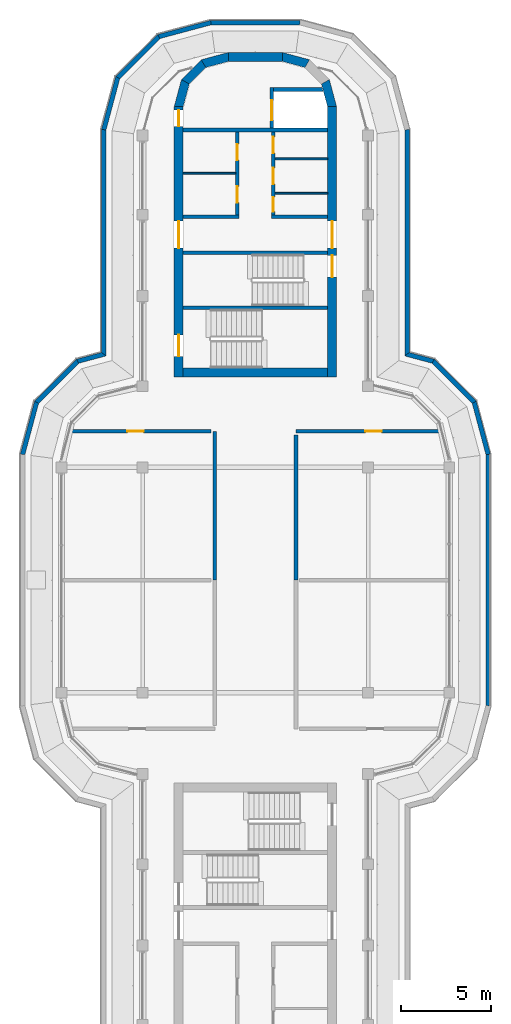
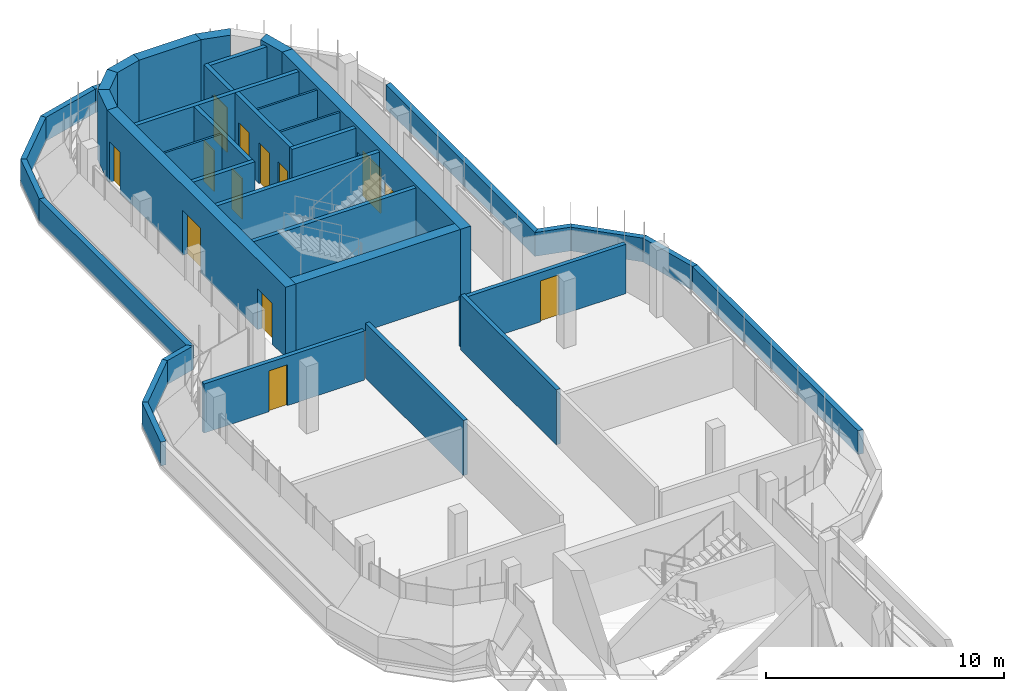
# One storey, part 9 of 13: 38 walls, 13 doors, 13 openings.
"""IFC4 building model written with IfcOpenShell, lengths in metres."""

from ifc_helpers import new_model, si_unit, direction, frame, frame_2d, origin, place, context, subcontext, project, spatial, polyline, rectangle, outline, extrude, material, layer, layer_set, type_object, element, fill, save


model = new_model("IFC4")

# Units and contexts
model_context = context("Model", 3, precision=1e-05, world=origin(), true_north=direction((0.0, 1.0)))
body_context = subcontext(model_context, "Body", "Model", "MODEL_VIEW")
ifc_project = project(units=[si_unit("LENGTHUNIT", "METRE"), si_unit("AREAUNIT", "SQUARE_METRE"), si_unit("VOLUMEUNIT", "CUBIC_METRE"), si_unit("PLANEANGLEUNIT", "RADIAN"), si_unit("MASSUNIT", "GRAM", prefix="KILO")], contexts=[model_context])

# Site, building, storey
site_placement = place(None, origin())
site = spatial("IfcSite", under=ifc_project, at=site_placement, CompositionType="ELEMENT")
building_placement = place(site_placement, origin())
building = spatial("IfcBuilding", under=site, at=building_placement, Name="Zarbagh Exchange Tower", CompositionType="ELEMENT")
storey_placement = place(building_placement, frame((0.0, 0.0, 302.39990234375)))
storey = spatial("IfcBuildingStorey", under=building, at=storey_placement, Name="L74", CompositionType="ELEMENT", Elevation=302.39990234375)

# Walls
ifc_material_1 = material(Name="Dense blockwork", Category="masonry")
ifc_layer_1 = layer(ifc_material_1, 0.10009765625)
ifc_layer_set_1 = layer_set([ifc_layer_1], Name="Core partition 100 mm blockwork")
wall_type_1 = type_object("IfcWallType", Name="Core partition 100 mm blockwork", PredefinedType="PARTITIONING", material=ifc_layer_set_1)
for number, where, z_axis, x_axis, name in (
    (1, (-4.0, 22.550048828125, 0.0), (0.0, 0.0, 1.0), (1.0, 0.0, 0.0), "North core partition wall CUT-W-580"),
    (2, (1.10009765625, 23.35009765625, 0.0), (0.0, 0.0, 1.0), (1.0, 0.0, 0.0), "North core partition wall CUT-E-500"),
    (3, (1.10009765625, 21.449951171875, 0.0), (0.0, 0.0, 1.0), (1.0, 0.0, 0.0), "North core partition wall CUT-E-690"),
):
    element("IfcWall", number, at=place(storey_placement, frame(where, z_axis=z_axis, x_axis=x_axis)), inside=storey, type_object=wall_type_1, Name=name, PredefinedType="PARTITIONING", context=body_context, shape_type="SweptSolid", body=[
        extrude(rectangle(XDim=2.89990234375, YDim=0.10009765625, at=frame_2d((1.449951171875, 0.0))), origin(), (0.0, 0.0, 1.0), 3.4501953125),
    ])

# Wall, opening, door
ifc_material_2 = material(Name="Concrete block partition", Category="concrete")
ifc_layer_2 = layer(ifc_material_2, 0.199951171875)
ifc_layer_set_2 = layer_set([ifc_layer_2], Name="Fire-rated block partition 200 EI 60")
wall_type_2 = type_object("IfcWallType", Name="Fire-rated block partition 200 EI 60", PredefinedType="PARTITIONING", material=ifc_layer_set_2)
wall_1_placement = place(storey_placement, frame((10.238037109375, 8.25, 0.0), z_axis=(0.0, 0.0, 1.0), x_axis=(-1.0, 0.0, 0.0)))
wall_1 = element("IfcWall", 4, at=wall_1_placement, inside=storey, type_object=wall_type_2, Name="WL-L74-W001", PredefinedType="PARTITIONING", context=body_context, shape_type="SweptSolid", body=[
    extrude(rectangle(XDim=7.988037109375, YDim=0.199951171875, at=frame_2d((3.994140625, 0.0))), origin(), (0.0, 0.0, 1.0), 2.530029296875),
])
opening_1_placement = place(wall_1_placement, frame((3.239013671875, 0.0, 0.0)))
opening_1 = element("IfcOpeningElement", 5, at=opening_1_placement, cuts=wall_1, Name="Opening D01", PredefinedType="OPENING", context=body_context, shape_type="SweptSolid", body=[
    extrude(rectangle(XDim=0.89990234375, YDim=2.10009765625, at=frame_2d((0.449951171875, 1.050048828125))), frame((0.0, 0.10986328125, 0.0), z_axis=(0.0, -1.0, 0.0), x_axis=(1.0, 0.0, 0.0)), (0.0, 0.0, 1.0), 0.219970703125),
])
ifc_material_3 = material(Name="Steel door set", Category="steel")
door_type_1 = type_object("IfcDoorType", Name="Door single 900x2100 EI 60", OperationType="SINGLE_SWING_LEFT", PredefinedType="DOOR", material=ifc_material_3)
door_1_placement = place(opening_1_placement, origin())
door_1 = element("IfcDoor", 6, at=door_1_placement, inside=storey, type_object=door_type_1, Name="D01", OperationType="SINGLE_SWING_LEFT", OverallHeight=2.10009765625, OverallWidth=0.89990234375, PredefinedType="DOOR", context=body_context, shape_type="SweptSolid", body=[
    extrude(rectangle(XDim=0.89990234375, YDim=2.10009765625, at=frame_2d((0.449951171875, 1.050048828125))), frame((0.0, 0.02490234375, 0.0), z_axis=(0.0, -1.0, 0.0), x_axis=(1.0, 0.0, 0.0)), (0.0, 0.0, 1.0), 0.050048828125),
])
fill(opening_1, door_1)

# Walls
wall_2_placement = place(storey_placement, frame((2.25, 8.050048828125, 0.0), z_axis=(0.0, 0.0, 1.0), x_axis=(0.0, -1.0, 0.0)))
element("IfcWall", 7, at=wall_2_placement, inside=storey, type_object=wall_type_2, Name="WL-L74-W002", PredefinedType="PARTITIONING", context=body_context, shape_type="SweptSolid", body=[
    extrude(rectangle(XDim=8.050048828125, YDim=0.199951171875, at=frame_2d((4.02490234375, 0.0))), origin(), (0.0, 0.0, 1.0), 2.828125),
])
wall_3_placement = place(storey_placement, frame((-2.25, 0.0, 0.0), z_axis=(0.0, 0.0, 1.0), x_axis=(0.0, 1.0, 0.0)))
element("IfcWall", 8, at=wall_3_placement, inside=storey, type_object=wall_type_2, Name="WL-L74-W005", PredefinedType="PARTITIONING", context=body_context, shape_type="SweptSolid", body=[
    extrude(rectangle(XDim=8.25, YDim=0.199951171875, at=frame_2d((4.125, 0.0))), origin(), (0.0, 0.0, 1.0), 2.828125),
])

# Wall, opening, door
wall_4_placement = place(storey_placement, frame((-2.449951171875, 8.25, 0.0), z_axis=(0.0, 0.0, 1.0), x_axis=(-1.0, 0.0, 0.0)))
wall_4 = element("IfcWall", 9, at=wall_4_placement, inside=storey, type_object=wall_type_2, Name="WL-L74-W006", PredefinedType="PARTITIONING", context=body_context, shape_type="SweptSolid", body=[
    extrude(rectangle(XDim=7.7880859375, YDim=0.199951171875, at=frame_2d((3.89404296875, 0.0))), origin(), (0.0, 0.0, 1.0), 2.530029296875),
])
opening_2_placement = place(wall_4_placement, frame((3.7490234375, 0.0, 0.0)))
opening_2 = element("IfcOpeningElement", 10, at=opening_2_placement, cuts=wall_4, Name="Opening D03", PredefinedType="OPENING", context=body_context, shape_type="SweptSolid", body=[
    extrude(rectangle(XDim=0.89990234375, YDim=2.10009765625, at=frame_2d((0.449951171875, 1.050048828125))), frame((0.0, 0.10986328125, 0.0), z_axis=(0.0, -1.0, 0.0), x_axis=(1.0, 0.0, 0.0)), (0.0, 0.0, 1.0), 0.219970703125),
])
door_2_placement = place(opening_2_placement, origin())
door_2 = element("IfcDoor", 11, at=door_2_placement, inside=storey, type_object=door_type_1, Name="D03", OperationType="SINGLE_SWING_LEFT", OverallHeight=2.10009765625, OverallWidth=0.89990234375, PredefinedType="DOOR", context=body_context, shape_type="SweptSolid", body=[
    extrude(rectangle(XDim=0.89990234375, YDim=2.10009765625, at=frame_2d((0.449951171875, 1.050048828125))), frame((0.0, 0.02490234375, 0.0), z_axis=(0.0, -1.0, 0.0), x_axis=(1.0, 0.0, 0.0)), (0.0, 0.0, 1.0), 0.050048828125),
])
fill(opening_2, door_2)

# Walls
ifc_material_4 = material(Name="Concrete C40/50", Category="concrete")
ifc_layer_3 = layer(ifc_material_4, 0.25)
ifc_layer_set_3 = layer_set([ifc_layer_3], Name="Parapet wall, concrete C40/50")
wall_type_3 = type_object("IfcWallType", Name="Parapet wall, concrete C40/50", PredefinedType="PARAPET", material=ifc_layer_set_3)
wall_5_placement = place(storey_placement, origin())
element("IfcWall", 12, at=wall_5_placement, inside=storey, type_object=wall_type_3, Name="roof parapet", PredefinedType="PARAPET", context=body_context, shape_type="SweptSolid", body=[
    extrude(outline(polyline([(-13.030029296875, 6.984375), (-12.242919921875, 9.92138671875), (-12.018798828125, 9.7919921875), (-12.780029296875, 6.951416015625), (-13.030029296875, 6.984375)])), origin(), (0.0, 0.0, 1.0), 1.22021484375),
])
wall_6_placement = place(storey_placement, origin())
element("IfcWall", 13, at=wall_6_placement, inside=storey, type_object=wall_type_3, Name="roof parapet", PredefinedType="PARAPET", context=body_context, shape_type="SweptSolid", body=[
    extrude(outline(polyline([(-12.242919921875, 9.92138671875), (-9.92138671875, 12.242919921875), (-9.7919921875, 12.018798828125), (-12.018798828125, 9.7919921875), (-12.242919921875, 9.92138671875)])), origin(), (0.0, 0.0, 1.0), 1.22021484375),
])
wall_7_placement = place(storey_placement, origin())
element("IfcWall", 14, at=wall_7_placement, inside=storey, type_object=wall_type_3, Name="roof parapet", PredefinedType="PARAPET", context=body_context, shape_type="SweptSolid", body=[
    extrude(outline(polyline([(-9.92138671875, 12.242919921875), (-8.530029296875, 12.61572265625), (-8.280029296875, 12.424072265625), (-9.7919921875, 12.018798828125), (-9.92138671875, 12.242919921875)])), origin(), (0.0, 0.0, 1.0), 1.22021484375),
])
wall_8_placement = place(storey_placement, origin())
element("IfcWall", 15, at=wall_8_placement, inside=storey, type_object=wall_type_3, Name="roof parapet", PredefinedType="PARAPET", context=body_context, shape_type="SweptSolid", body=[
    extrude(outline(polyline([(-8.530029296875, 12.61572265625), (-8.530029296875, 24.984375), (-8.280029296875, 24.951416015625), (-8.280029296875, 12.424072265625), (-8.530029296875, 12.61572265625)])), origin(), (0.0, 0.0, 1.0), 1.22021484375),
])
wall_9_placement = place(storey_placement, origin())
element("IfcWall", 16, at=wall_9_placement, inside=storey, type_object=wall_type_3, Name="roof parapet", PredefinedType="PARAPET", context=body_context, shape_type="SweptSolid", body=[
    extrude(outline(polyline([(-8.530029296875, 24.984375), (-7.742919921875, 27.92138671875), (-7.518798828125, 27.7919921875), (-8.280029296875, 24.951416015625), (-8.530029296875, 24.984375)])), origin(), (0.0, 0.0, 1.0), 1.22021484375),
])
wall_10_placement = place(storey_placement, origin())
element("IfcWall", 17, at=wall_10_placement, inside=storey, type_object=wall_type_3, Name="roof parapet", PredefinedType="PARAPET", context=body_context, shape_type="SweptSolid", body=[
    extrude(outline(polyline([(-7.742919921875, 27.92138671875), (-5.42138671875, 30.242919921875), (-5.2919921875, 30.018798828125), (-7.518798828125, 27.7919921875), (-7.742919921875, 27.92138671875)])), origin(), (0.0, 0.0, 1.0), 1.22021484375),
])
wall_11_placement = place(storey_placement, origin())
element("IfcWall", 18, at=wall_11_placement, inside=storey, type_object=wall_type_3, Name="roof parapet", PredefinedType="PARAPET", context=body_context, shape_type="SweptSolid", body=[
    extrude(outline(polyline([(-5.42138671875, 30.242919921875), (-2.484375, 31.030029296875), (-2.451416015625, 30.780029296875), (-5.2919921875, 30.018798828125), (-5.42138671875, 30.242919921875)])), origin(), (0.0, 0.0, 1.0), 1.22021484375),
])
wall_12_placement = place(storey_placement, origin())
element("IfcWall", 19, at=wall_12_placement, inside=storey, type_object=wall_type_3, Name="roof parapet", PredefinedType="PARAPET", context=body_context, shape_type="SweptSolid", body=[
    extrude(outline(polyline([(-2.484375, 31.030029296875), (2.484375, 31.030029296875), (2.451416015625, 30.780029296875), (-2.451416015625, 30.780029296875), (-2.484375, 31.030029296875)])), origin(), (0.0, 0.0, 1.0), 1.22021484375),
])
wall_13_placement = place(storey_placement, origin())
element("IfcWall", 20, at=wall_13_placement, inside=storey, type_object=wall_type_3, Name="roof parapet", PredefinedType="PARAPET", context=body_context, shape_type="SweptSolid", body=[
    extrude(outline(polyline([(8.530029296875, 24.984375), (8.530029296875, 12.61572265625), (8.280029296875, 12.424072265625), (8.280029296875, 24.951416015625), (8.530029296875, 24.984375)])), origin(), (0.0, 0.0, 1.0), 1.22021484375),
])
wall_14_placement = place(storey_placement, origin())
element("IfcWall", 21, at=wall_14_placement, inside=storey, type_object=wall_type_3, Name="roof parapet", PredefinedType="PARAPET", context=body_context, shape_type="SweptSolid", body=[
    extrude(outline(polyline([(8.530029296875, 12.61572265625), (9.92138671875, 12.242919921875), (9.7919921875, 12.018798828125), (8.280029296875, 12.424072265625), (8.530029296875, 12.61572265625)])), origin(), (0.0, 0.0, 1.0), 1.22021484375),
])
wall_15_placement = place(storey_placement, origin())
element("IfcWall", 22, at=wall_15_placement, inside=storey, type_object=wall_type_3, Name="roof parapet", PredefinedType="PARAPET", context=body_context, shape_type="SweptSolid", body=[
    extrude(outline(polyline([(9.92138671875, 12.242919921875), (12.242919921875, 9.92138671875), (12.018798828125, 9.7919921875), (9.7919921875, 12.018798828125), (9.92138671875, 12.242919921875)])), origin(), (0.0, 0.0, 1.0), 1.22021484375),
])
wall_16_placement = place(storey_placement, origin())
element("IfcWall", 23, at=wall_16_placement, inside=storey, type_object=wall_type_3, Name="roof parapet", PredefinedType="PARAPET", context=body_context, shape_type="SweptSolid", body=[
    extrude(outline(polyline([(12.242919921875, 9.92138671875), (13.030029296875, 6.984375), (12.780029296875, 6.951416015625), (12.018798828125, 9.7919921875), (12.242919921875, 9.92138671875)])), origin(), (0.0, 0.0, 1.0), 1.22021484375),
])
wall_17_placement = place(storey_placement, origin())
element("IfcWall", 24, at=wall_17_placement, inside=storey, type_object=wall_type_3, Name="roof parapet", PredefinedType="PARAPET", context=body_context, shape_type="SweptSolid", body=[
    extrude(outline(polyline([(13.030029296875, 6.984375), (13.030029296875, -6.984375), (12.780029296875, -6.951416015625), (12.780029296875, 6.951416015625), (13.030029296875, 6.984375)])), origin(), (0.0, 0.0, 1.0), 1.22021484375),
])
ifc_layer_4 = layer(ifc_material_4, 0.5)
ifc_layer_set_4 = layer_set([ifc_layer_4], Name="RC core corner wall 500 C40/50")
wall_type_4 = type_object("IfcWallType", Name="RC core corner wall 500 C40/50", PredefinedType="SHEAR", material=ifc_layer_set_4)
wall_18_placement = place(storey_placement, origin())
element("IfcWall", 25, at=wall_18_placement, inside=storey, type_object=wall_type_4, Name="CW10 core N corner W", PredefinedType="SHEAR", context=body_context, shape_type="SweptSolid", body=[
    extrude(outline(polyline([(-4.5, 26.25), (-4.09814453125, 27.75), (-3.6650390625, 27.5), (-4.0, 26.25), (-4.5, 26.25)])), origin(), (0.0, 0.0, 1.0), 3.60009765625),
])
wall_19_placement = place(storey_placement, origin())
element("IfcWall", 26, at=wall_19_placement, inside=storey, type_object=wall_type_4, Name="CW10 core N corner W", PredefinedType="SHEAR", context=body_context, shape_type="SweptSolid", body=[
    extrude(outline(polyline([(-4.09814453125, 27.75), (-3.0, 28.84814453125), (-2.75, 28.4150390625), (-3.6650390625, 27.5), (-4.09814453125, 27.75)])), origin(), (0.0, 0.0, 1.0), 3.60009765625),
])
wall_20_placement = place(storey_placement, origin())
element("IfcWall", 27, at=wall_20_placement, inside=storey, type_object=wall_type_4, Name="CW10 core N corner W", PredefinedType="SHEAR", context=body_context, shape_type="SweptSolid", body=[
    extrude(outline(polyline([(-3.0, 28.84814453125), (-1.5, 29.25), (-1.5, 28.75), (-2.75, 28.4150390625), (-3.0, 28.84814453125)])), origin(), (0.0, 0.0, 1.0), 3.60009765625),
])
wall_21_placement = place(storey_placement, origin())
element("IfcWall", 28, at=wall_21_placement, inside=storey, type_object=wall_type_4, Name="CW10 core N corner E", PredefinedType="SHEAR", context=body_context, shape_type="SweptSolid", body=[
    extrude(outline(polyline([(4.5, 26.25), (4.09814453125, 27.75), (3.6650390625, 27.5), (4.0, 26.25), (4.5, 26.25)])), origin(), (0.0, 0.0, 1.0), 3.60009765625),
])
wall_22_placement = place(storey_placement, origin())
element("IfcWall", 29, at=wall_22_placement, inside=storey, type_object=wall_type_4, Name="CW10 core N corner E", PredefinedType="SHEAR", context=body_context, shape_type="SweptSolid", body=[
    extrude(outline(polyline([(3.0, 28.84814453125), (1.5, 29.25), (1.5, 28.75), (2.75, 28.4150390625), (3.0, 28.84814453125)])), origin(), (0.0, 0.0, 1.0), 3.60009765625),
])

# Wall, openings, doors
ifc_layer_5 = layer(ifc_material_4, 0.5)
ifc_layer_set_5 = layer_set([ifc_layer_5], Name="RC core wall 500 C40/50")
wall_type_5 = type_object("IfcWallType", Name="RC core wall 500 C40/50", PredefinedType="SHEAR", material=ifc_layer_set_5)
wall_23_placement = place(storey_placement, frame((-4.25, 11.25, 0.0), z_axis=(0.0, 0.0, 1.0), x_axis=(0.0, 1.0, 0.0)))
wall_23 = element("IfcWall", 30, at=wall_23_placement, inside=storey, type_object=wall_type_5, Name="CW9 core N W", PredefinedType="SHEAR", context=body_context, shape_type="SweptSolid", body=[
    extrude(rectangle(XDim=15.0, YDim=0.5, at=frame_2d((7.5, 0.0))), origin(), (0.0, 0.0, 1.0), 3.60009765625),
])
opening_3_placement = place(wall_23_placement, frame((7.14990234375, 0.0, 0.0)))
opening_3 = element("IfcOpeningElement", 31, at=opening_3_placement, cuts=wall_23, Name="Opening CD1-1500", PredefinedType="OPENING", context=body_context, shape_type="SweptSolid", body=[
    extrude(rectangle(XDim=1.5, YDim=2.300048828125, at=frame_2d((0.75, 1.14990234375))), frame((0.0, 0.260009765625, 0.0), z_axis=(0.0, -1.0, 0.0), x_axis=(1.0, 0.0, 0.0)), (0.0, 0.0, 1.0), 0.52001953125),
])
opening_4_placement = place(wall_23_placement, frame((13.89990234375, 0.0, 0.0)))
opening_4 = element("IfcOpeningElement", 32, at=opening_4_placement, cuts=wall_23, Name="Opening CD2-900", PredefinedType="OPENING", context=body_context, shape_type="SweptSolid", body=[
    extrude(rectangle(XDim=0.89990234375, YDim=2.10009765625, at=frame_2d((0.449951171875, 1.050048828125))), frame((0.0, 0.260009765625, 0.0), z_axis=(0.0, -1.0, 0.0), x_axis=(1.0, 0.0, 0.0)), (0.0, 0.0, 1.0), 0.52001953125),
])
opening_5_placement = place(wall_23_placement, frame((1.14990234375, 0.0, 0.0)))
opening_5 = element("IfcOpeningElement", 33, at=opening_5_placement, cuts=wall_23, Name="Opening SD1-1200", PredefinedType="OPENING", context=body_context, shape_type="SweptSolid", body=[
    extrude(rectangle(XDim=1.199951171875, YDim=2.10009765625, at=frame_2d((0.60009765625, 1.050048828125))), frame((0.0, 0.260009765625, 0.0), z_axis=(0.0, -1.0, 0.0), x_axis=(1.0, 0.0, 0.0)), (0.0, 0.0, 1.0), 0.52001953125),
])
ifc_material_5 = material(Name="Steel", Category="steel")
door_type_2 = type_object("IfcDoorType", Name="Exit stair door 1200 x 2100", OperationType="NOTDEFINED", PredefinedType="DOOR", material=ifc_material_5)
door_3_placement = place(opening_5_placement, origin())
door_3 = element("IfcDoor", 34, at=door_3_placement, inside=storey, type_object=door_type_2, Name="North core stair door ST2", OperationType="SINGLE_SWING_RIGHT", OverallHeight=2.10009765625, OverallWidth=1.199951171875, PredefinedType="DOOR", context=body_context, shape_type="SweptSolid", body=[
    extrude(rectangle(XDim=1.199951171875, YDim=2.10009765625, at=frame_2d((0.60009765625, 1.050048828125))), frame((0.0, 0.02490234375, 0.0), z_axis=(0.0, -1.0, 0.0), x_axis=(1.0, 0.0, 0.0)), (0.0, 0.0, 1.0), 0.050048828125),
])
fill(opening_5, door_3)
door_type_3 = type_object("IfcDoorType", Name="Firefighting lobby door 900 x 2100", OperationType="NOTDEFINED", PredefinedType="DOOR", material=ifc_material_5)
door_4_placement = place(opening_4_placement, origin())
door_4 = element("IfcDoor", 35, at=door_4_placement, inside=storey, type_object=door_type_3, Name="North core firefighting lobby door FF-W", OperationType="SINGLE_SWING_RIGHT", OverallHeight=2.10009765625, OverallWidth=0.89990234375, PredefinedType="DOOR", context=body_context, shape_type="SweptSolid", body=[
    extrude(rectangle(XDim=0.89990234375, YDim=2.10009765625, at=frame_2d((0.449951171875, 1.050048828125))), frame((0.0, 0.02490234375, 0.0), z_axis=(0.0, -1.0, 0.0), x_axis=(1.0, 0.0, 0.0)), (0.0, 0.0, 1.0), 0.050048828125),
])
fill(opening_4, door_4)
door_type_4 = type_object("IfcDoorType", Name="Lift lobby double door 1500 x 2300", OperationType="NOTDEFINED", PredefinedType="DOOR", material=ifc_material_5)
door_5_placement = place(opening_3_placement, origin())
door_5 = element("IfcDoor", 36, at=door_5_placement, inside=storey, type_object=door_type_4, Name="North core lift lobby door LOBBY-W", OperationType="DOUBLE_DOOR_SINGLE_SWING", OverallHeight=2.300048828125, OverallWidth=1.5, PredefinedType="DOOR", context=body_context, shape_type="SweptSolid", body=[
    extrude(rectangle(XDim=1.5, YDim=2.300048828125, at=frame_2d((0.75, 1.14990234375))), frame((0.0, 0.02490234375, 0.0), z_axis=(0.0, -1.0, 0.0), x_axis=(1.0, 0.0, 0.0)), (0.0, 0.0, 1.0), 0.050048828125),
])
fill(opening_3, door_5)

wall_24_placement = place(storey_placement, frame((4.25, 11.25, 0.0), z_axis=(0.0, 0.0, 1.0), x_axis=(0.0, 1.0, 0.0)))
wall_24 = element("IfcWall", 37, at=wall_24_placement, inside=storey, type_object=wall_type_5, Name="CW9 core N E", PredefinedType="SHEAR", context=body_context, shape_type="SweptSolid", body=[
    extrude(rectangle(XDim=15.0, YDim=0.5, at=frame_2d((7.5, 0.0))), origin(), (0.0, 0.0, 1.0), 3.60009765625),
])
opening_6_placement = place(wall_24_placement, frame((7.14990234375, 0.0, 0.0)))
opening_6 = element("IfcOpeningElement", 38, at=opening_6_placement, cuts=wall_24, Name="Opening CD1-1500", PredefinedType="OPENING", context=body_context, shape_type="SweptSolid", body=[
    extrude(rectangle(XDim=1.5, YDim=2.300048828125, at=frame_2d((0.75, 1.14990234375))), frame((0.0, 0.260009765625, 0.0), z_axis=(0.0, -1.0, 0.0), x_axis=(1.0, 0.0, 0.0)), (0.0, 0.0, 1.0), 0.52001953125),
])
opening_7_placement = place(wall_24_placement, frame((5.550048828125, 0.0, 0.0)))
opening_7 = element("IfcOpeningElement", 39, at=opening_7_placement, cuts=wall_24, Name="Opening SD1-1200", PredefinedType="OPENING", context=body_context, shape_type="SweptSolid", body=[
    extrude(rectangle(XDim=1.199951171875, YDim=2.10009765625, at=frame_2d((0.60009765625, 1.050048828125))), frame((0.0, 0.260009765625, 0.0), z_axis=(0.0, -1.0, 0.0), x_axis=(1.0, 0.0, 0.0)), (0.0, 0.0, 1.0), 0.52001953125),
])
door_6_placement = place(opening_7_placement, origin())
door_6 = element("IfcDoor", 40, at=door_6_placement, inside=storey, type_object=door_type_2, Name="North core stair door ST1", OperationType="SINGLE_SWING_RIGHT", OverallHeight=2.10009765625, OverallWidth=1.199951171875, PredefinedType="DOOR", context=body_context, shape_type="SweptSolid", body=[
    extrude(rectangle(XDim=1.199951171875, YDim=2.10009765625, at=frame_2d((0.60009765625, 1.050048828125))), frame((0.0, 0.02490234375, 0.0), z_axis=(0.0, -1.0, 0.0), x_axis=(1.0, 0.0, 0.0)), (0.0, 0.0, 1.0), 0.050048828125),
])
fill(opening_7, door_6)
door_7_placement = place(opening_6_placement, origin())
door_7 = element("IfcDoor", 41, at=door_7_placement, inside=storey, type_object=door_type_4, Name="North core lift lobby door LOBBY-E", OperationType="DOUBLE_DOOR_SINGLE_SWING", OverallHeight=2.300048828125, OverallWidth=1.5, PredefinedType="DOOR", context=body_context, shape_type="SweptSolid", body=[
    extrude(rectangle(XDim=1.5, YDim=2.300048828125, at=frame_2d((0.75, 1.14990234375))), frame((0.0, 0.02490234375, 0.0), z_axis=(0.0, -1.0, 0.0), x_axis=(1.0, 0.0, 0.0)), (0.0, 0.0, 1.0), 0.050048828125),
])
fill(opening_6, door_7)

# Walls
wall_25_placement = place(storey_placement, frame((-4.0, 11.5, 0.0), z_axis=(0.0, 0.0, 1.0), x_axis=(1.0, 0.0, 0.0)))
element("IfcWall", 42, at=wall_25_placement, inside=storey, type_object=wall_type_5, Name="CW9 core N inner end", PredefinedType="SHEAR", context=body_context, shape_type="SweptSolid", body=[
    extrude(rectangle(XDim=8.0, YDim=0.5, at=frame_2d((4.0, 0.0))), origin(), (0.0, 0.0, 1.0), 3.60009765625),
])
wall_26_placement = place(storey_placement, frame((-1.5, 29.0, 0.0), z_axis=(0.0, 0.0, 1.0), x_axis=(1.0, 0.0, 0.0)))
element("IfcWall", 43, at=wall_26_placement, inside=storey, type_object=wall_type_5, Name="CW9 core N outer end", PredefinedType="SHEAR", context=body_context, shape_type="SweptSolid", body=[
    extrude(rectangle(XDim=3.0, YDim=0.5, at=frame_2d((1.5, 0.0))), origin(), (0.0, 0.0, 1.0), 3.60009765625),
])
ifc_layer_6 = layer(ifc_material_1, 0.199951171875)
ifc_layer_set_6 = layer_set([ifc_layer_6], Name="Shaft wall 200 mm blockwork")
wall_type_6 = type_object("IfcWallType", Name="Shaft wall 200 mm blockwork", PredefinedType="PARTITIONING", material=ifc_layer_set_6)
wall_27_placement = place(storey_placement, frame((-4.0, 20.14990234375, 0.0), z_axis=(0.0, 0.0, 1.0), x_axis=(1.0, 0.0, 0.0)))
element("IfcWall", 44, at=wall_27_placement, inside=storey, type_object=wall_type_6, Name="North core shaft wall AB-W", PredefinedType="PARTITIONING", context=body_context, shape_type="SweptSolid", body=[
    extrude(rectangle(XDim=3.10009765625, YDim=0.199951171875, at=frame_2d((1.550048828125, 0.0))), origin(), (0.0, 0.0, 1.0), 3.4501953125),
])

# Wall, openings, doors
wall_28_placement = place(storey_placement, frame((-1.0, 24.85009765625, 0.0), z_axis=(0.0, 0.0, 1.0), x_axis=(0.0, -1.0, 0.0)))
wall_28 = element("IfcWall", 45, at=wall_28_placement, inside=storey, type_object=wall_type_6, Name="North core shaft wall LW-W", PredefinedType="PARTITIONING", context=body_context, shape_type="SweptSolid", body=[
    extrude(rectangle(XDim=4.60009765625, YDim=0.199951171875, at=frame_2d((2.300048828125, 0.0))), origin(), (0.0, 0.0, 1.0), 3.4501953125),
])
opening_8_placement = place(wall_28_placement, frame((0.675048828125, 0.0, 0.0)))
opening_8 = element("IfcOpeningElement", 46, at=opening_8_placement, cuts=wall_28, Name="Opening CD3-900", PredefinedType="OPENING", context=body_context, shape_type="SweptSolid", body=[
    extrude(rectangle(XDim=0.89990234375, YDim=2.10009765625, at=frame_2d((0.449951171875, 1.050048828125))), frame((0.0, 0.10986328125, 0.0), z_axis=(0.0, -1.0, 0.0), x_axis=(1.0, 0.0, 0.0)), (0.0, 0.0, 1.0), 0.219970703125),
])
opening_9_placement = place(wall_28_placement, frame((3.02490234375, 0.0, 0.0)))
opening_9 = element("IfcOpeningElement", 47, at=opening_9_placement, cuts=wall_28, Name="Opening CD3-900", PredefinedType="OPENING", context=body_context, shape_type="SweptSolid", body=[
    extrude(rectangle(XDim=0.89990234375, YDim=2.10009765625, at=frame_2d((0.449951171875, 1.050048828125))), frame((0.0, 0.10986328125, 0.0), z_axis=(0.0, -1.0, 0.0), x_axis=(1.0, 0.0, 0.0)), (0.0, 0.0, 1.0), 0.219970703125),
])
door_type_5 = type_object("IfcDoorType", Name="Core room door 900 x 2100", OperationType="NOTDEFINED", PredefinedType="DOOR", material=ifc_material_5)
door_8_placement = place(opening_8_placement, origin())
door_8 = element("IfcDoor", 48, at=door_8_placement, inside=storey, type_object=door_type_5, Name="North core Plant room door RD-W-0", OperationType="SINGLE_SWING_LEFT", OverallHeight=2.10009765625, OverallWidth=0.89990234375, PredefinedType="DOOR", context=body_context, shape_type="SweptSolid", body=[
    extrude(rectangle(XDim=0.89990234375, YDim=2.10009765625, at=frame_2d((0.449951171875, 1.050048828125))), frame((0.0, 0.02490234375, 0.0), z_axis=(0.0, -1.0, 0.0), x_axis=(1.0, 0.0, 0.0)), (0.0, 0.0, 1.0), 0.050048828125),
])
fill(opening_8, door_8)
door_9_placement = place(opening_9_placement, origin())
door_9 = element("IfcDoor", 49, at=door_9_placement, inside=storey, type_object=door_type_5, Name="North core Switch room door RD-W-1", OperationType="SINGLE_SWING_RIGHT", OverallHeight=2.10009765625, OverallWidth=0.89990234375, PredefinedType="DOOR", context=body_context, shape_type="SweptSolid", body=[
    extrude(rectangle(XDim=0.89990234375, YDim=2.10009765625, at=frame_2d((0.449951171875, 1.050048828125))), frame((0.0, 0.02490234375, 0.0), z_axis=(0.0, -1.0, 0.0), x_axis=(1.0, 0.0, 0.0)), (0.0, 0.0, 1.0), 0.050048828125),
])
fill(opening_9, door_9)

# Wall
wall_29_placement = place(storey_placement, frame((0.89990234375, 20.14990234375, 0.0), z_axis=(0.0, 0.0, 1.0), x_axis=(1.0, 0.0, 0.0)))
element("IfcWall", 50, at=wall_29_placement, inside=storey, type_object=wall_type_6, Name="North core shaft wall AB-E", PredefinedType="PARTITIONING", context=body_context, shape_type="SweptSolid", body=[
    extrude(rectangle(XDim=3.10009765625, YDim=0.199951171875, at=frame_2d((1.550048828125, 0.0))), origin(), (0.0, 0.0, 1.0), 3.4501953125),
])

# Wall, openings, doors
wall_30_placement = place(storey_placement, frame((1.0, 24.85009765625, 0.0), z_axis=(0.0, 0.0, 1.0), x_axis=(0.0, -1.0, 0.0)))
wall_30 = element("IfcWall", 51, at=wall_30_placement, inside=storey, type_object=wall_type_6, Name="North core shaft wall LW-E", PredefinedType="PARTITIONING", context=body_context, shape_type="SweptSolid", body=[
    extrude(rectangle(XDim=4.60009765625, YDim=0.199951171875, at=frame_2d((2.300048828125, 0.0))), origin(), (0.0, 0.0, 1.0), 3.4501953125),
])
opening_10_placement = place(wall_30_placement, frame((0.27490234375, 0.0, 0.0)))
opening_10 = element("IfcOpeningElement", 52, at=opening_10_placement, cuts=wall_30, Name="Opening CD3-900", PredefinedType="OPENING", context=body_context, shape_type="SweptSolid", body=[
    extrude(rectangle(XDim=0.89990234375, YDim=2.10009765625, at=frame_2d((0.449951171875, 1.050048828125))), frame((0.0, 0.10986328125, 0.0), z_axis=(0.0, -1.0, 0.0), x_axis=(1.0, 0.0, 0.0)), (0.0, 0.0, 1.0), 0.219970703125),
])
opening_11_placement = place(wall_30_placement, frame((2.0, 0.0, 0.0)))
opening_11 = element("IfcOpeningElement", 53, at=opening_11_placement, cuts=wall_30, Name="Opening CD3-900", PredefinedType="OPENING", context=body_context, shape_type="SweptSolid", body=[
    extrude(rectangle(XDim=0.89990234375, YDim=2.10009765625, at=frame_2d((0.449951171875, 1.050048828125))), frame((0.0, 0.10986328125, 0.0), z_axis=(0.0, -1.0, 0.0), x_axis=(1.0, 0.0, 0.0)), (0.0, 0.0, 1.0), 0.219970703125),
])
opening_12_placement = place(wall_30_placement, frame((3.625, 0.0, 0.0)))
opening_12 = element("IfcOpeningElement", 54, at=opening_12_placement, cuts=wall_30, Name="Opening CD3-800", PredefinedType="OPENING", context=body_context, shape_type="SweptSolid", body=[
    extrude(rectangle(XDim=0.800048828125, YDim=2.10009765625, at=frame_2d((0.39990234375, 1.050048828125))), frame((0.0, 0.10986328125, 0.0), z_axis=(0.0, -1.0, 0.0), x_axis=(1.0, 0.0, 0.0)), (0.0, 0.0, 1.0), 0.219970703125),
])
door_type_6 = type_object("IfcDoorType", Name="Core room door 800 x 2100", OperationType="NOTDEFINED", PredefinedType="DOOR", material=ifc_material_5)
door_10_placement = place(opening_12_placement, origin())
door_10 = element("IfcDoor", 55, at=door_10_placement, inside=storey, type_object=door_type_6, Name="North core Control room door RD-E-2", OperationType="SINGLE_SWING_RIGHT", OverallHeight=2.10009765625, OverallWidth=0.800048828125, PredefinedType="DOOR", context=body_context, shape_type="SweptSolid", body=[
    extrude(rectangle(XDim=0.800048828125, YDim=2.10009765625, at=frame_2d((0.39990234375, 1.050048828125))), frame((0.0, 0.02490234375, 0.0), z_axis=(0.0, -1.0, 0.0), x_axis=(1.0, 0.0, 0.0)), (0.0, 0.0, 1.0), 0.050048828125),
])
fill(opening_12, door_10)
door_11_placement = place(opening_10_placement, origin())
door_11 = element("IfcDoor", 56, at=door_11_placement, inside=storey, type_object=door_type_5, Name="North core Mechanical store door RD-E-0", OperationType="SINGLE_SWING_LEFT", OverallHeight=2.10009765625, OverallWidth=0.89990234375, PredefinedType="DOOR", context=body_context, shape_type="SweptSolid", body=[
    extrude(rectangle(XDim=0.89990234375, YDim=2.10009765625, at=frame_2d((0.449951171875, 1.050048828125))), frame((0.0, 0.02490234375, 0.0), z_axis=(0.0, -1.0, 0.0), x_axis=(1.0, 0.0, 0.0)), (0.0, 0.0, 1.0), 0.050048828125),
])
fill(opening_10, door_11)
door_12_placement = place(opening_11_placement, origin())
door_12 = element("IfcDoor", 57, at=door_12_placement, inside=storey, type_object=door_type_5, Name="North core Plant room door RD-E-1", OperationType="SINGLE_SWING_LEFT", OverallHeight=2.10009765625, OverallWidth=0.89990234375, PredefinedType="DOOR", context=body_context, shape_type="SweptSolid", body=[
    extrude(rectangle(XDim=0.89990234375, YDim=2.10009765625, at=frame_2d((0.449951171875, 1.050048828125))), frame((0.0, 0.02490234375, 0.0), z_axis=(0.0, -1.0, 0.0), x_axis=(1.0, 0.0, 0.0)), (0.0, 0.0, 1.0), 0.050048828125),
])
fill(opening_11, door_12)

# Wall
ifc_layer_7 = layer(ifc_material_4, 0.199951171875)
ifc_layer_set_7 = layer_set([ifc_layer_7], Name="Stair enclosure wall 200 mm RC C40/50")
wall_type_7 = type_object("IfcWallType", Name="Stair enclosure wall 200 mm RC C40/50", PredefinedType="SHEAR", material=ifc_layer_set_7)
wall_31_placement = place(storey_placement, frame((-4.0, 24.949951171875, 0.0), z_axis=(0.0, 0.0, 1.0), x_axis=(1.0, 0.0, 0.0)))
element("IfcWall", 58, at=wall_31_placement, inside=storey, type_object=wall_type_7, Name="North core lift shaft wall FFA", PredefinedType="SHEAR", context=body_context, shape_type="SweptSolid", body=[
    extrude(rectangle(XDim=8.0, YDim=0.199951171875, at=frame_2d((4.0, 0.0))), origin(), (0.0, 0.0, 1.0), 3.4501953125),
])

# Wall, opening, door
wall_32_placement = place(storey_placement, frame((0.89990234375, 27.300048828125, 0.0), z_axis=(0.0, 0.0, 1.0), x_axis=(0.0, -1.0, 0.0)))
wall_32 = element("IfcWall", 59, at=wall_32_placement, inside=storey, type_object=wall_type_7, Name="North core lift shaft wall FFL", PredefinedType="SHEAR", context=body_context, shape_type="SweptSolid", body=[
    extrude(rectangle(XDim=2.25, YDim=0.199951171875, at=frame_2d((1.125, 0.0))), origin(), (0.0, 0.0, 1.0), 3.4501953125),
])
opening_13_placement = place(wall_32_placement, frame((0.699951171875, 0.0, 0.0)))
opening_13 = element("IfcOpeningElement", 60, at=opening_13_placement, cuts=wall_32, Name="Opening LD-1100", PredefinedType="OPENING", context=body_context, shape_type="SweptSolid", body=[
    extrude(rectangle(XDim=1.10009765625, YDim=2.300048828125, at=frame_2d((0.550048828125, 1.14990234375))), frame((0.0, 0.10986328125, 0.0), z_axis=(0.0, -1.0, 0.0), x_axis=(1.0, 0.0, 0.0)), (0.0, 0.0, 1.0), 0.219970703125),
])
ifc_material_6 = material(Name="Stainless steel", Category="steel")
door_type_7 = type_object("IfcDoorType", Name="Lift landing door 1100 x 2300", OperationType="NOTDEFINED", PredefinedType="DOOR", material=ifc_material_6)
door_13_placement = place(opening_13_placement, origin())
door_13 = element("IfcDoor", 61, at=door_13_placement, inside=storey, type_object=door_type_7, Name="North core lift landing door LD-F", OperationType="DOUBLE_DOOR_SLIDING", OverallHeight=2.300048828125, OverallWidth=1.10009765625, PredefinedType="DOOR", context=body_context, shape_type="SweptSolid", body=[
    extrude(rectangle(XDim=1.10009765625, YDim=2.300048828125, at=frame_2d((0.550048828125, 1.14990234375))), frame((0.0, 0.02490234375, 0.0), z_axis=(0.0, -1.0, 0.0), x_axis=(1.0, 0.0, 0.0)), (0.0, 0.0, 1.0), 0.050048828125),
])
fill(opening_13, door_13)

# Walls
wall_33_placement = place(storey_placement, origin())
element("IfcWall", 62, at=wall_33_placement, inside=storey, type_object=wall_type_7, Name="North core lift shaft wall FFX", PredefinedType="SHEAR", context=body_context, shape_type="SweptSolid", body=[
    extrude(outline(polyline([(1.0, 27.10009765625), (3.754638671875, 27.10009765625), (3.700927734375, 27.300048828125), (1.0, 27.300048828125), (1.0, 27.10009765625)])), origin(), (0.0, 0.0, 1.0), 3.4501953125),
])
for number, where, z_axis, x_axis, name in (
    (63, (-4.0, 18.14990234375, 0.0), (0.0, 0.0, 1.0), (1.0, 0.0, 0.0), "North core stair wall BS"),
    (64, (-4.0, 15.10009765625, 0.0), (0.0, 0.0, 1.0), (1.0, 0.0, 0.0), "North core stair wall ST12"),
):
    element("IfcWall", number, at=place(storey_placement, frame(where, z_axis=z_axis, x_axis=x_axis)), inside=storey, type_object=wall_type_7, Name=name, PredefinedType="SHEAR", context=body_context, shape_type="SweptSolid", body=[
        extrude(rectangle(XDim=8.0, YDim=0.199951171875, at=frame_2d((4.0, 0.0))), origin(), (0.0, 0.0, 1.0), 3.4501953125),
    ])

save(model, "model.ifc")
